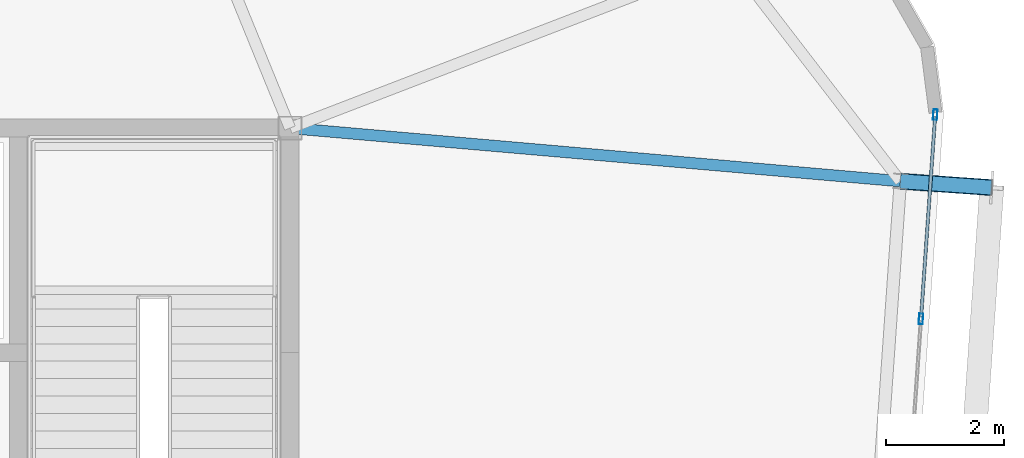
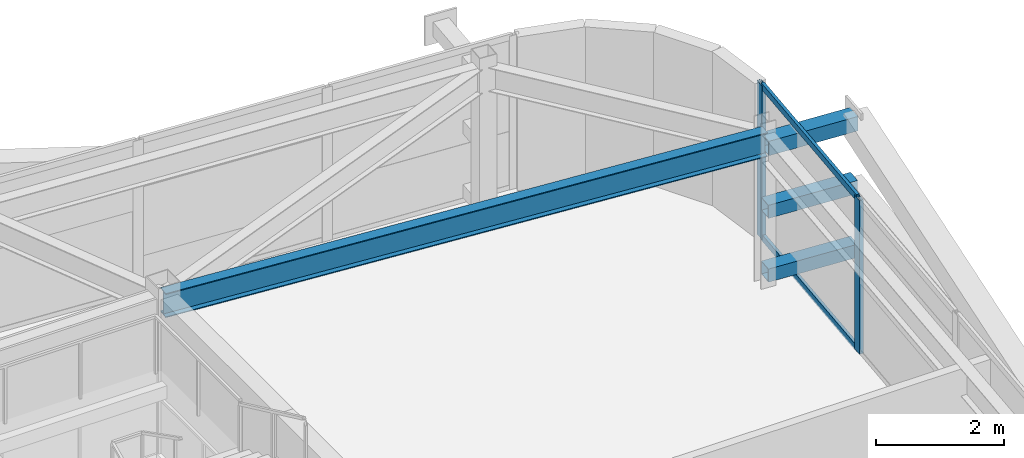
# One storey, part 25 of 47: 7 members, 1 beam, 1 element without a shape of its own.
"""IFC4 building model written with IfcOpenShell, lengths in metres."""

from ifc_helpers import new_model, si_unit, direction, frame, origin, origin_2d, place, context, subcontext, project, spatial, hollow_rectangle, i_section, extrude, source, transform, mapped, material, layer, layer_set, material_profile, profile_set, type_object, element, aggregate, save


model = new_model("IFC4")

# Units and contexts
model_context = context("Model", 3, precision=1e-05, world=origin(), true_north=direction((0.0, 1.0)))
body_context = subcontext(model_context, "Body", "Model", "MODEL_VIEW")
ifc_project = project(units=[si_unit("LENGTHUNIT", "METRE"), si_unit("AREAUNIT", "SQUARE_METRE"), si_unit("VOLUMEUNIT", "CUBIC_METRE"), si_unit("PLANEANGLEUNIT", "RADIAN"), si_unit("MASSUNIT", "GRAM", prefix="KILO")], contexts=[model_context])

# Site, building, storey
site_placement = place(None, origin())
site = spatial("IfcSite", under=ifc_project, at=site_placement, CompositionType="ELEMENT")
building_placement = place(site_placement, origin())
building = spatial("IfcBuilding", under=site, at=building_placement, Name="Taldren Reach Tower", CompositionType="ELEMENT")
storey_placement = place(building_placement, frame((0.0, 0.0, 142.449951171875)))
storey = spatial("IfcBuildingStorey", under=building, at=storey_placement, Name="L43", CompositionType="ELEMENT", Elevation=142.449951171875)

# Members
ifc_material_1 = material(Name="Steel Gr 450 (C450L0)", Category="steel")
ifc_material_profile_1 = material_profile(ifc_material_1, hollow_rectangle(XDim=0.27490234375, YDim=0.27490234375, WallThickness=0.00927734375, at=origin_2d()), Name="275x275x9.3SHS")
ifc_profile_set_1 = profile_set([ifc_material_profile_1], Name="Steel Gr 450 (C450L0)")
member_type_1 = type_object("IfcMemberType", Name="MB-TIE273", PredefinedType="STRUT", material=ifc_profile_set_1)
shared_shape_1 = source(origin(), body_context, "Body", "SweptSolid", [
    extrude(hollow_rectangle(XDim=0.27490234375, YDim=0.27490234375, WallThickness=0.00927734375, at=origin_2d()), origin(), (0.0, 0.0, 1.0), 1.550048828125),
])
member_1_placement = place(storey_placement, frame((61.3310546875, 31.1005859375, 2.650146484375), z_axis=(0.99756313426, -0.06976957191, 0.0), x_axis=(0.06976957191, 0.99756313426, 0.0)))
element("IfcMember", 1, at=member_1_placement, inside=storey, type_object=member_type_1, Name="Exoskeleton diaphragm tie strut B3-E3 L43", PredefinedType="STRUT", context=body_context, shape_type="MappedRepresentation", body=[
    mapped(shared_shape_1, transform((0.0, 0.0, 0.0), scale=1.0)),
])
ifc_material_2 = material(Name="Steel Gr 350 (C350L0)", Category="steel")
ifc_material_profile_2 = material_profile(ifc_material_2, hollow_rectangle(XDim=0.25, YDim=0.25, WallThickness=0.010009765625, at=origin_2d()), Name="250x250x10.0SHS")
ifc_profile_set_2 = profile_set([ifc_material_profile_2], Name="Steel Gr 350 (C350L0)")
member_type_2 = type_object("IfcMemberType", Name="MB-POST250", PredefinedType="POST", material=ifc_profile_set_2)
shared_shape_2 = source(origin(), body_context, "Body", "SweptSolid", [
    extrude(hollow_rectangle(XDim=0.25, YDim=0.25, WallThickness=0.010009765625, at=origin_2d()), origin(), (0.0, 0.0, 1.0), 1.550048828125),
])
for number, where, z_axis, x_axis, name in (
    (2, (61.3310546875, 31.1005859375, 0.219970703125), (0.99756313426, -0.06976957191, 0.0), (0.06976957191, 0.99756313426, 0.0), "Exoskeleton base diaphragm tie strut B3-E3 L43"),
    (3, (61.3310546875, 31.1005859375, 1.43505859375), (0.99756313426, -0.06976957191, 0.0), (0.06976957191, 0.99756313426, 0.0), "Exoskeleton mid-tier diaphragm tie B3-E3 L43"),
):
    element("IfcMember", number, at=place(storey_placement, frame(where, z_axis=z_axis, x_axis=x_axis)), inside=storey, type_object=member_type_2, Name=name, PredefinedType="POST", context=body_context, shape_type="MappedRepresentation", body=[
        mapped(shared_shape_2, transform((0.0, 0.0, 0.0), scale=1.0)),
    ])

# Beam
ifc_material_3 = material(Name="Steel Gr 350 (350PLUS)", Category="steel")
ifc_material_profile_3 = material_profile(ifc_material_3, i_section(OverallWidth=0.19091796875, OverallDepth=0.4599609375, WebThickness=0.010009765625, FlangeThickness=0.01611328125, at=origin_2d()), Name="460UB82.1")
ifc_profile_set_3 = profile_set([ifc_material_profile_3], Name="Steel Gr 350 (350PLUS)")
beam_type = type_object("IfcBeamType", Name="BM-UB460A", PredefinedType="BEAM", material=ifc_profile_set_3)
shared_shape_3 = source(origin(), body_context, "Body", "SweptSolid", [
    extrude(i_section(OverallWidth=0.19091796875, OverallDepth=0.4599609375, WebThickness=0.010009765625, FlangeThickness=0.01611328125, at=origin_2d()), origin(), (0.0, 0.0, 1.0), 10.3701171875),
])
beam_placement = place(storey_placement, frame((51.0, 32.0, 2.699951171875), z_axis=(0.996231748992, -0.086731207186, 0.0), x_axis=(0.086731207186, 0.996231748992, 0.0)))
element("IfcBeam", 4, at=beam_placement, inside=storey, type_object=beam_type, Name="Primary floor girder B3-E3 L43", PredefinedType="BEAM", context=body_context, shape_type="MappedRepresentation", body=[
    mapped(shared_shape_3, transform((0.0, 0.0, 0.0), scale=1.0)),
])

# Curtain wall, members
ifc_material_4 = material(Name="Aluminium and Low-E Glass Unitised System", Category="aluminium")
ifc_layer = layer(ifc_material_4, 0.159912109375)
ifc_layer_set = layer_set([ifc_layer], Name="Aluminium and Low-E Glass Unitised System")
curtain_wall_type = type_object("IfcCurtainWallType", Name="CW-SYS-4", PredefinedType="NOTDEFINED", material=ifc_layer_set)
curtain_wall_placement = place(storey_placement, origin())
curtain_wall = element("IfcCurtainWall", 5, at=curtain_wall_placement, inside=storey, type_object=curtain_wall_type, Name="Unitised curtain wall CW-L43-E", PredefinedType="NOTDEFINED")
ifc_material_5 = material(Name="Anodised Aluminium 6063-T6", Category="aluminium")
ifc_material_profile_4 = material_profile(ifc_material_5, hollow_rectangle(XDim=0.070068359375, YDim=0.179931640625, WallThickness=0.00390625, at=origin_2d()), Name="ALU-180x70x4RHS")
ifc_profile_set_4 = profile_set([ifc_material_profile_4], Name="Anodised Aluminium 6063-T6")
member_type_3 = type_object("IfcMemberType", Name="CW-MUL-180", PredefinedType="MULLION", material=ifc_profile_set_4)
shared_shape_4 = source(origin(), body_context, "Body", "SweptSolid", [
    extrude(hollow_rectangle(XDim=0.070068359375, YDim=0.179931640625, WallThickness=0.00390625, at=origin_2d()), origin(), (0.0, 0.0, 1.0), 2.929931640625),
])
member_2_placement = place(storey_placement, frame((61.679443359375, 28.7705078125, 0.0), z_axis=(0.0, 0.0, 1.0), x_axis=(-0.997564052812, 0.069756437251, 0.0)))
member_2 = element("IfcMember", 6, at=member_2_placement, type_object=member_type_3, Name="CW-4 mullion 8", PredefinedType="MULLION", context=body_context, shape_type="MappedRepresentation", body=[
    mapped(shared_shape_4, transform((0.0, 0.0, 0.0), scale=1.0)),
])
member_3_placement = place(storey_placement, frame((61.921142578125, 32.22705078125, 0.0), z_axis=(0.0, 0.0, 1.0), x_axis=(-0.997564052812, 0.069756437251, 0.0)))
member_3 = element("IfcMember", 7, at=member_3_placement, type_object=member_type_3, Name="CW-4 mullion 9", PredefinedType="MULLION", context=body_context, shape_type="MappedRepresentation", body=[
    mapped(shared_shape_4, transform((0.0, 0.0, 0.0), scale=1.0)),
])
ifc_material_profile_5 = material_profile(ifc_material_5, hollow_rectangle(XDim=0.054931640625, YDim=0.1201171875, WallThickness=0.0029296875, at=origin_2d()), Name="ALU-120x55x3RHS")
ifc_profile_set_5 = profile_set([ifc_material_profile_5], Name="Anodised Aluminium 6063-T6")
member_type_4 = type_object("IfcMemberType", Name="CW-TRN-135", PredefinedType="USERDEFINED", material=ifc_profile_set_5)
shared_shape_5 = source(origin(), body_context, "Body", "SweptSolid", [
    extrude(hollow_rectangle(XDim=0.054931640625, YDim=0.1201171875, WallThickness=0.0029296875, at=origin_2d()), origin(), (0.0, 0.0, 1.0), 3.39501953125),
])
member_4_placement = place(storey_placement, frame((61.681884765625, 28.805419921875, 0.027587890625), z_axis=(0.069754703634, 0.997564174036, 0.0), x_axis=(-0.997564174036, 0.069754703634, 0.0)))
member_4 = element("IfcMember", 8, at=member_4_placement, type_object=member_type_4, Name="CW-4 transom 8.1", ObjectType="TRANSOM", PredefinedType="USERDEFINED", context=body_context, shape_type="MappedRepresentation", body=[
    mapped(shared_shape_5, transform((0.0, 0.0, 0.0), scale=1.0)),
])
member_5_placement = place(storey_placement, frame((61.681884765625, 28.805419921875, 2.902587890625), z_axis=(0.069754703634, 0.997564174036, 0.0), x_axis=(-0.997564174036, 0.069754703634, 0.0)))
member_5 = element("IfcMember", 9, at=member_5_placement, type_object=member_type_4, Name="CW-4 transom 8.2", ObjectType="TRANSOM", PredefinedType="USERDEFINED", context=body_context, shape_type="MappedRepresentation", body=[
    mapped(shared_shape_5, transform((0.0, 0.0, 0.0), scale=1.0)),
])
aggregate(curtain_wall, [member_2, member_3, member_4, member_5])

save(model, "model.ifc")
